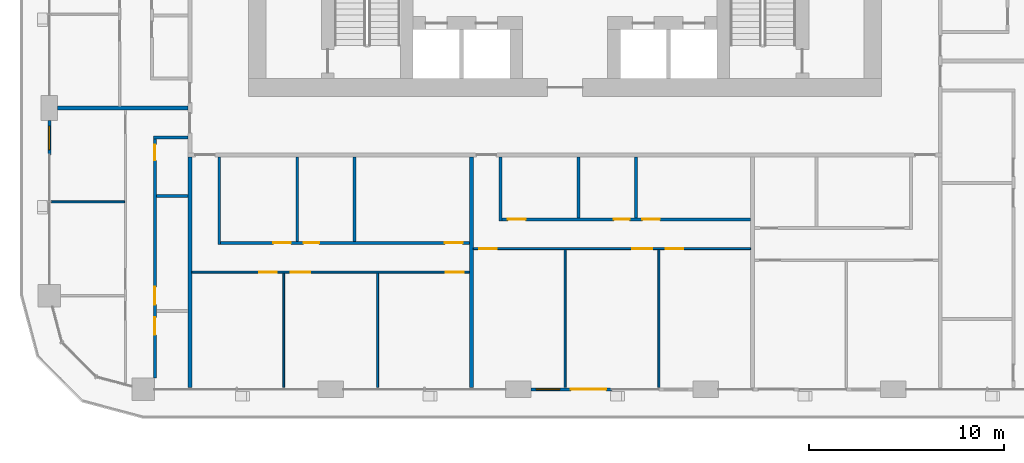
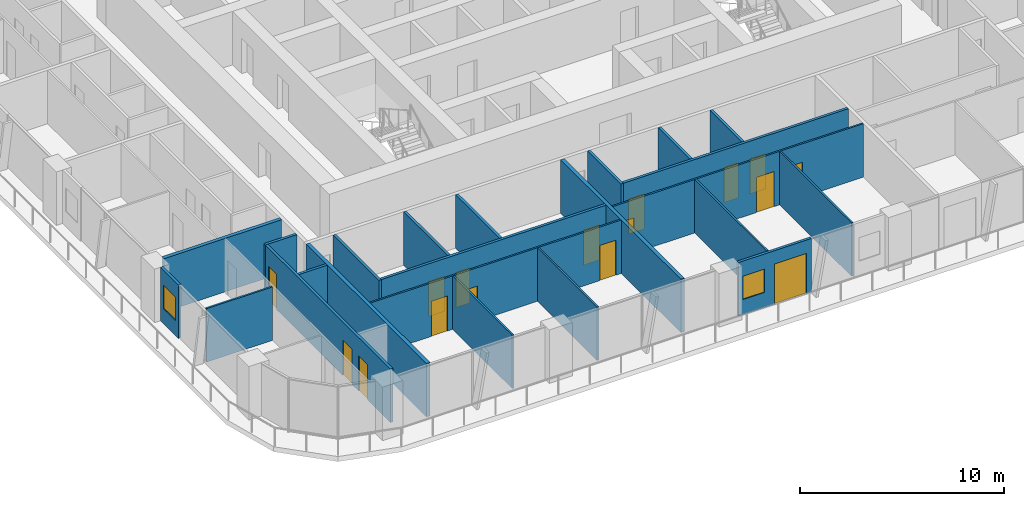
# One storey, part 9 of 22: 23 walls, 16 doors, 2 windows, 18 openings.
"""IFC4 building model written with IfcOpenShell, lengths in metres."""

from ifc_helpers import new_model, si_unit, direction, frame, frame_2d, origin, place, context, subcontext, project, spatial, rectangle, extrude, material, layer, layer_set, type_object, element, fill, save


model = new_model("IFC4")

# Units and contexts
model_context = context("Model", 3, precision=1e-05, world=origin(), true_north=direction((0.0, 1.0)))
body_context = subcontext(model_context, "Body", "Model", "MODEL_VIEW")
ifc_project = project(units=[si_unit("LENGTHUNIT", "METRE"), si_unit("AREAUNIT", "SQUARE_METRE"), si_unit("VOLUMEUNIT", "CUBIC_METRE"), si_unit("PLANEANGLEUNIT", "RADIAN"), si_unit("MASSUNIT", "GRAM", prefix="KILO")], contexts=[model_context])

# Site, building, storey
site_placement = place(None, origin())
site = spatial("IfcSite", under=ifc_project, at=site_placement, CompositionType="ELEMENT")
building_placement = place(site_placement, origin())
building = spatial("IfcBuilding", under=site, at=building_placement, Name="Madar Terraces", CompositionType="ELEMENT")
storey_placement = place(building_placement, frame((0.0, 0.0, 62.800048828125)))
storey = spatial("IfcBuildingStorey", under=building, at=storey_placement, Name="L15", CompositionType="ELEMENT", Elevation=62.800048828125)

# Wall, openings, door, window
ifc_material_1 = material(Name="Aluminium composite panel, black, over insulated backing", Category="aluminium")
ifc_layer_1 = layer(ifc_material_1, 0.14990234375)
ifc_layer_set_1 = layer_set([ifc_layer_1], Name="Facade bay panel 150")
wall_type_1 = type_object("IfcWallType", Name="Facade bay panel 150", PredefinedType="SOLIDWALL", material=ifc_layer_set_1)
wall_1_placement = place(storey_placement, frame((29.449951171875, 0.0, 0.0), z_axis=(0.0, 0.0, 1.0), x_axis=(1.0, 0.0, 0.0)))
wall_1 = element("IfcWall", 1, at=wall_1_placement, inside=storey, type_object=wall_type_1, Name="Facade bay panel", PredefinedType="SOLIDWALL", context=body_context, shape_type="SweptSolid", body=[
    extrude(rectangle(XDim=4.150146484375, YDim=0.14990234375, at=frame_2d((2.0751953125, 0.0))), origin(), (0.0, 0.0, 1.0), 3.199951171875),
])
opening_1_placement = place(wall_1_placement, frame((0.27490234375, 0.0, 0.89990234375)))
opening_1 = element("IfcOpeningElement", 2, at=opening_1_placement, cuts=wall_1, Name="Opening W1", PredefinedType="OPENING", context=body_context, shape_type="SweptSolid", body=[
    extrude(rectangle(XDim=1.199951171875, YDim=1.39990234375, at=frame_2d((0.60009765625, 0.699951171875))), frame((0.0, 0.0849609375, 0.0), z_axis=(0.0, -1.0, 0.0), x_axis=(1.0, 0.0, 0.0)), (0.0, 0.0, 1.0), 0.169921875),
])
opening_2_placement = place(wall_1_placement, frame((2.050048828125, 0.0, 0.0)))
opening_2 = element("IfcOpeningElement", 3, at=opening_2_placement, cuts=wall_1, Name="Opening ED1", PredefinedType="OPENING", context=body_context, shape_type="SweptSolid", body=[
    extrude(rectangle(XDim=1.800048828125, YDim=2.39990234375, at=frame_2d((0.89990234375, 1.199951171875))), frame((0.0, 0.0849609375, 0.0), z_axis=(0.0, -1.0, 0.0), x_axis=(1.0, 0.0, 0.0)), (0.0, 0.0, 1.0), 0.169921875),
])
ifc_material_2 = material(Name="Glass, clear, with black aluminium frame", Category="aluminium")
door_type_1 = type_object("IfcDoorType", Name="Balcony and terrace sliding door 1800 x 2400", OperationType="SLIDING_TO_LEFT", PredefinedType="DOOR", material=ifc_material_2)
door_1_placement = place(opening_2_placement, origin())
door_1 = element("IfcDoor", 4, at=door_1_placement, inside=storey, type_object=door_type_1, Name="Balcony door", OperationType="SLIDING_TO_LEFT", OverallHeight=2.39990234375, OverallWidth=1.800048828125, PredefinedType="DOOR", context=body_context, shape_type="SweptSolid", body=[
    extrude(rectangle(XDim=1.800048828125, YDim=2.39990234375, at=frame_2d((0.89990234375, 1.199951171875))), frame((0.0, 0.02490234375, 0.0), z_axis=(0.0, -1.0, 0.0), x_axis=(1.0, 0.0, 0.0)), (0.0, 0.0, 1.0), 0.050048828125),
])
fill(opening_2, door_1)
ifc_material_3 = material(Name="Glass, clear, with black aluminium frame", Category="aluminium")
window_type = type_object("IfcWindowType", Name="Vent window 1200 x 1400", PartitioningType="SINGLE_PANEL", PredefinedType="WINDOW", material=ifc_material_3)
window_1_placement = place(opening_1_placement, origin())
window_1 = element("IfcWindow", 5, at=window_1_placement, inside=storey, type_object=window_type, Name="Operable vent window", OverallHeight=1.39990234375, OverallWidth=1.199951171875, PartitioningType="SINGLE_PANEL", PredefinedType="WINDOW", context=body_context, shape_type="SweptSolid", body=[
    extrude(rectangle(XDim=1.199951171875, YDim=1.39990234375, at=frame_2d((0.60009765625, 0.699951171875))), frame((0.0, 0.030029296875, 0.0), z_axis=(0.0, -1.0, 0.0), x_axis=(1.0, 0.0, 0.0)), (0.0, 0.0, 1.0), 0.06005859375),
])
fill(opening_1, window_1)

# Wall, opening, window
wall_2_placement = place(storey_placement, frame((4.800048828125, 13.75, 0.0), z_axis=(0.0, 0.0, 1.0), x_axis=(0.0, -1.0, 0.0)))
wall_2 = element("IfcWall", 6, at=wall_2_placement, inside=storey, type_object=wall_type_1, Name="Facade bay panel", PredefinedType="SOLIDWALL", context=body_context, shape_type="SweptSolid", body=[
    extrude(rectangle(XDim=1.75, YDim=0.14990234375, at=frame_2d((0.875, 0.0))), origin(), (0.0, 0.0, 1.0), 3.199951171875),
])
opening_3_placement = place(wall_2_placement, frame((0.27490234375, 0.0, 0.89990234375)))
opening_3 = element("IfcOpeningElement", 7, at=opening_3_placement, cuts=wall_2, Name="Opening W1", PredefinedType="OPENING", context=body_context, shape_type="SweptSolid", body=[
    extrude(rectangle(XDim=1.199951171875, YDim=1.39990234375, at=frame_2d((0.60009765625, 0.699951171875))), frame((0.0, 0.0849609375, 0.0), z_axis=(0.0, -1.0, 0.0), x_axis=(1.0, 0.0, 0.0)), (0.0, 0.0, 1.0), 0.169921875),
])
window_2_placement = place(opening_3_placement, origin())
window_2 = element("IfcWindow", 8, at=window_2_placement, inside=storey, type_object=window_type, Name="Operable vent window", OverallHeight=1.39990234375, OverallWidth=1.199951171875, PartitioningType="SINGLE_PANEL", PredefinedType="WINDOW", context=body_context, shape_type="SweptSolid", body=[
    extrude(rectangle(XDim=1.199951171875, YDim=1.39990234375, at=frame_2d((0.60009765625, 0.699951171875))), frame((0.0, 0.030029296875, 0.0), z_axis=(0.0, -1.0, 0.0), x_axis=(1.0, 0.0, 0.0)), (0.0, 0.0, 1.0), 0.06005859375),
])
fill(opening_3, window_2)

# Walls
ifc_material_4 = material(Name="Gypsum board on steel studs", Category="steel")
ifc_layer_2 = layer(ifc_material_4, 0.10009765625)
ifc_layer_set_2 = layer_set([ifc_layer_2], Name="Flat partition 100")
wall_type_2 = type_object("IfcWallType", Name="Flat partition 100", PredefinedType="PARTITIONING", material=ifc_layer_set_2)
for number, where, z_axis, x_axis, name in (
    (9, (16.800048828125, 5.949951171875, 0.0), (0.0, 0.0, 1.0), (0.0, -1.0, 0.0), "Flat partition 100"),
    (10, (21.60009765625, 5.949951171875, 0.0), (0.0, 0.0, 1.0), (0.0, -1.0, 0.0), "Flat partition 100"),
):
    element("IfcWall", number, at=place(storey_placement, frame(where, z_axis=z_axis, x_axis=x_axis)), inside=storey, type_object=wall_type_2, Name=name, PredefinedType="PARTITIONING", context=body_context, shape_type="SweptSolid", body=[
        extrude(rectangle(XDim=5.849853515625, YDim=0.10009765625, at=frame_2d((2.9248046875, 0.0))), origin(), (0.0, 0.0, 1.0), 3.199951171875),
    ])

# Wall, openings, doors
wall_3_placement = place(storey_placement, frame((26.300048828125, 6.0, 0.0), z_axis=(0.0, 0.0, 1.0), x_axis=(-1.0, 0.0, 0.0)))
wall_3 = element("IfcWall", 11, at=wall_3_placement, inside=storey, type_object=wall_type_2, Name="Flat partition 100", PredefinedType="PARTITIONING", context=body_context, shape_type="SweptSolid", body=[
    extrude(rectangle(XDim=14.199951171875, YDim=0.10009765625, at=frame_2d((7.10009765625, 0.0))), origin(), (0.0, 0.0, 1.0), 3.199951171875),
])
opening_4_placement = place(wall_3_placement, frame((9.85009765625, 0.0, 0.0)))
opening_4 = element("IfcOpeningElement", 12, at=opening_4_placement, cuts=wall_3, Name="Opening D2", PredefinedType="OPENING", context=body_context, shape_type="SweptSolid", body=[
    extrude(rectangle(XDim=0.89990234375, YDim=2.10009765625, at=frame_2d((0.449951171875, 1.050048828125))), frame((0.0, 0.06005859375, 0.0), z_axis=(0.0, -1.0, 0.0), x_axis=(1.0, 0.0, 0.0)), (0.0, 0.0, 1.0), 0.1201171875),
])
opening_5_placement = place(wall_3_placement, frame((8.14990234375, 0.0, 0.0)))
opening_5 = element("IfcOpeningElement", 13, at=opening_5_placement, cuts=wall_3, Name="Opening D3", PredefinedType="OPENING", context=body_context, shape_type="SweptSolid", body=[
    extrude(rectangle(XDim=1.0, YDim=2.10009765625, at=frame_2d((0.5, 1.050048828125))), frame((0.0, 0.06005859375, 0.0), z_axis=(0.0, -1.0, 0.0), x_axis=(1.0, 0.0, 0.0)), (0.0, 0.0, 1.0), 0.1201171875),
])
opening_6_placement = place(wall_3_placement, frame((0.300048828125, 0.0, 0.0)))
opening_6 = element("IfcOpeningElement", 14, at=opening_6_placement, cuts=wall_3, Name="Opening D2", PredefinedType="OPENING", context=body_context, shape_type="SweptSolid", body=[
    extrude(rectangle(XDim=0.89990234375, YDim=2.10009765625, at=frame_2d((0.449951171875, 1.050048828125))), frame((0.0, 0.06005859375, 0.0), z_axis=(0.0, -1.0, 0.0), x_axis=(1.0, 0.0, 0.0)), (0.0, 0.0, 1.0), 0.1201171875),
])
ifc_material_5 = material(Name="Timber door leaf", Category="wood")
door_type_2 = type_object("IfcDoorType", Name="Flat living room door 1000", OperationType="NOTDEFINED", PredefinedType="DOOR", material=ifc_material_5)
door_2_placement = place(opening_5_placement, origin())
door_2 = element("IfcDoor", 15, at=door_2_placement, inside=storey, type_object=door_type_2, Name="Flat living room door 1000", OperationType="SINGLE_SWING_RIGHT", OverallHeight=2.10009765625, OverallWidth=1.0, PredefinedType="DOOR", context=body_context, shape_type="SweptSolid", body=[
    extrude(rectangle(XDim=1.0, YDim=2.10009765625, at=frame_2d((0.5, 1.050048828125))), frame((0.0, 0.02490234375, 0.0), z_axis=(0.0, -1.0, 0.0), x_axis=(1.0, 0.0, 0.0)), (0.0, 0.0, 1.0), 0.050048828125),
])
fill(opening_5, door_2)
ifc_material_6 = material(Name="Timber door leaf", Category="wood")
door_type_3 = type_object("IfcDoorType", Name="Flat room door 900", OperationType="NOTDEFINED", PredefinedType="DOOR", material=ifc_material_6)
door_3_placement = place(opening_4_placement, origin())
door_3 = element("IfcDoor", 16, at=door_3_placement, inside=storey, type_object=door_type_3, Name="Flat room door 900", OperationType="SINGLE_SWING_LEFT", OverallHeight=2.10009765625, OverallWidth=0.89990234375, PredefinedType="DOOR", context=body_context, shape_type="SweptSolid", body=[
    extrude(rectangle(XDim=0.89990234375, YDim=2.10009765625, at=frame_2d((0.449951171875, 1.050048828125))), frame((0.0, 0.02490234375, 0.0), z_axis=(0.0, -1.0, 0.0), x_axis=(1.0, 0.0, 0.0)), (0.0, 0.0, 1.0), 0.050048828125),
])
fill(opening_4, door_3)
door_4_placement = place(opening_6_placement, origin())
door_4 = element("IfcDoor", 17, at=door_4_placement, inside=storey, type_object=door_type_3, Name="Flat room door 900", OperationType="SINGLE_SWING_LEFT", OverallHeight=2.10009765625, OverallWidth=0.89990234375, PredefinedType="DOOR", context=body_context, shape_type="SweptSolid", body=[
    extrude(rectangle(XDim=0.89990234375, YDim=2.10009765625, at=frame_2d((0.449951171875, 1.050048828125))), frame((0.0, 0.02490234375, 0.0), z_axis=(0.0, -1.0, 0.0), x_axis=(1.0, 0.0, 0.0)), (0.0, 0.0, 1.0), 0.050048828125),
])
fill(opening_6, door_4)

# Walls
for number, where, z_axis, x_axis, name in (
    (18, (31.199951171875, 7.14990234375, 0.0), (0.0, 0.0, 1.0), (0.0, -1.0, 0.0), "Flat partition 100"),
    (19, (36.0, 7.14990234375, 0.0), (0.0, 0.0, 1.0), (0.0, -1.0, 0.0), "Flat partition 100"),
):
    element("IfcWall", number, at=place(storey_placement, frame(where, z_axis=z_axis, x_axis=x_axis)), inside=storey, type_object=wall_type_2, Name=name, PredefinedType="PARTITIONING", context=body_context, shape_type="SweptSolid", body=[
        extrude(rectangle(XDim=7.0498046875, YDim=0.10009765625, at=frame_2d((3.52490234375, 0.0))), origin(), (0.0, 0.0, 1.0), 3.199951171875),
    ])

# Wall, openings, doors
wall_4_placement = place(storey_placement, frame((40.699951171875, 7.199951171875, 0.0), z_axis=(0.0, 0.0, 1.0), x_axis=(-1.0, 0.0, 0.0)))
wall_4 = element("IfcWall", 20, at=wall_4_placement, inside=storey, type_object=wall_type_2, Name="Flat partition 100", PredefinedType="PARTITIONING", context=body_context, shape_type="SweptSolid", body=[
    extrude(rectangle(XDim=14.199951171875, YDim=0.10009765625, at=frame_2d((7.10009765625, 0.0))), origin(), (0.0, 0.0, 1.0), 3.199951171875),
])
opening_7_placement = place(wall_4_placement, frame((13.0, 0.0, 0.0)))
opening_7 = element("IfcOpeningElement", 21, at=opening_7_placement, cuts=wall_4, Name="Opening D2", PredefinedType="OPENING", context=body_context, shape_type="SweptSolid", body=[
    extrude(rectangle(XDim=0.89990234375, YDim=2.10009765625, at=frame_2d((0.449951171875, 1.050048828125))), frame((0.0, 0.06005859375, 0.0), z_axis=(0.0, -1.0, 0.0), x_axis=(1.0, 0.0, 0.0)), (0.0, 0.0, 1.0), 0.1201171875),
])
opening_8_placement = place(wall_4_placement, frame((5.050048828125, 0.0, 0.0)))
opening_8 = element("IfcOpeningElement", 22, at=opening_8_placement, cuts=wall_4, Name="Opening D3", PredefinedType="OPENING", context=body_context, shape_type="SweptSolid", body=[
    extrude(rectangle(XDim=1.0, YDim=2.10009765625, at=frame_2d((0.5, 1.050048828125))), frame((0.0, 0.06005859375, 0.0), z_axis=(0.0, -1.0, 0.0), x_axis=(1.0, 0.0, 0.0)), (0.0, 0.0, 1.0), 0.1201171875),
])
opening_9_placement = place(wall_4_placement, frame((3.449951171875, 0.0, 0.0)))
opening_9 = element("IfcOpeningElement", 23, at=opening_9_placement, cuts=wall_4, Name="Opening D2", PredefinedType="OPENING", context=body_context, shape_type="SweptSolid", body=[
    extrude(rectangle(XDim=0.89990234375, YDim=2.10009765625, at=frame_2d((0.449951171875, 1.050048828125))), frame((0.0, 0.06005859375, 0.0), z_axis=(0.0, -1.0, 0.0), x_axis=(1.0, 0.0, 0.0)), (0.0, 0.0, 1.0), 0.1201171875),
])
door_5_placement = place(opening_8_placement, origin())
door_5 = element("IfcDoor", 24, at=door_5_placement, inside=storey, type_object=door_type_2, Name="Flat living room door 1000", OperationType="SINGLE_SWING_LEFT", OverallHeight=2.10009765625, OverallWidth=1.0, PredefinedType="DOOR", context=body_context, shape_type="SweptSolid", body=[
    extrude(rectangle(XDim=1.0, YDim=2.10009765625, at=frame_2d((0.5, 1.050048828125))), frame((0.0, 0.02490234375, 0.0), z_axis=(0.0, -1.0, 0.0), x_axis=(1.0, 0.0, 0.0)), (0.0, 0.0, 1.0), 0.050048828125),
])
fill(opening_8, door_5)
door_6_placement = place(opening_7_placement, origin())
door_6 = element("IfcDoor", 25, at=door_6_placement, inside=storey, type_object=door_type_3, Name="Flat room door 900", OperationType="SINGLE_SWING_RIGHT", OverallHeight=2.10009765625, OverallWidth=0.89990234375, PredefinedType="DOOR", context=body_context, shape_type="SweptSolid", body=[
    extrude(rectangle(XDim=0.89990234375, YDim=2.10009765625, at=frame_2d((0.449951171875, 1.050048828125))), frame((0.0, 0.02490234375, 0.0), z_axis=(0.0, -1.0, 0.0), x_axis=(1.0, 0.0, 0.0)), (0.0, 0.0, 1.0), 0.050048828125),
])
fill(opening_7, door_6)
door_7_placement = place(opening_9_placement, origin())
door_7 = element("IfcDoor", 26, at=door_7_placement, inside=storey, type_object=door_type_3, Name="Flat room door 900", OperationType="SINGLE_SWING_RIGHT", OverallHeight=2.10009765625, OverallWidth=0.89990234375, PredefinedType="DOOR", context=body_context, shape_type="SweptSolid", body=[
    extrude(rectangle(XDim=0.89990234375, YDim=2.10009765625, at=frame_2d((0.449951171875, 1.050048828125))), frame((0.0, 0.02490234375, 0.0), z_axis=(0.0, -1.0, 0.0), x_axis=(1.0, 0.0, 0.0)), (0.0, 0.0, 1.0), 0.050048828125),
])
fill(opening_9, door_7)

# Walls
wall_5_placement = place(storey_placement, frame((8.64990234375, 9.60009765625, 0.0), z_axis=(0.0, 0.0, 1.0), x_axis=(-1.0, 0.0, 0.0)))
element("IfcWall", 27, at=wall_5_placement, inside=storey, type_object=wall_type_2, Name="Flat partition 100", PredefinedType="PARTITIONING", context=body_context, shape_type="SweptSolid", body=[
    extrude(rectangle(XDim=3.75, YDim=0.10009765625, at=frame_2d((1.875, 0.0))), origin(), (0.0, 0.0, 1.0), 3.199951171875),
])
ifc_material_7 = material(Name="Lightweight blockwork", Category="masonry")
ifc_layer_3 = layer(ifc_material_7, 0.199951171875)
ifc_layer_set_3 = layer_set([ifc_layer_3], Name="Flat party and entrance wall 200")
wall_type_3 = type_object("IfcWallType", Name="Flat party and entrance wall 200", PredefinedType="PARTITIONING", material=ifc_layer_set_3)
for number, where, z_axis, x_axis, name in (
    (28, (26.39990234375, 11.89990234375, 0.0), (0.0, 0.0, 1.0), (0.0, -1.0, 0.0), "Flat party and entrance wall 200"),
    (29, (12.0, 0.10009765625, 0.0), (0.0, 0.0, 1.0), (0.0, 1.0, 0.0), "Flat party and entrance wall 200"),
):
    element("IfcWall", number, at=place(storey_placement, frame(where, z_axis=z_axis, x_axis=x_axis)), inside=storey, type_object=wall_type_3, Name=name, PredefinedType="PARTITIONING", context=body_context, shape_type="SweptSolid", body=[
        extrude(rectangle(XDim=11.7998046875, YDim=0.199951171875, at=frame_2d((5.89990234375, 0.0))), origin(), (0.0, 0.0, 1.0), 3.199951171875),
    ])
wall_6_placement = place(storey_placement, frame((5.22509765625, 14.39990234375, 0.0), z_axis=(0.0, 0.0, 1.0), x_axis=(1.0, 0.0, 0.0)))
element("IfcWall", 30, at=wall_6_placement, inside=storey, type_object=wall_type_3, Name="Flat party and entrance wall 200", PredefinedType="PARTITIONING", context=body_context, shape_type="SweptSolid", body=[
    extrude(rectangle(XDim=6.6748046875, YDim=0.199951171875, at=frame_2d((3.33740234375, 0.0))), origin(), (0.0, 0.0, 1.0), 3.199951171875),
])
ifc_material_8 = material(Name="Lightweight blockwork", Category="masonry")
ifc_layer_4 = layer(ifc_material_8, 0.14990234375)
ifc_layer_set_4 = layer_set([ifc_layer_4], Name="Flat wet-room partition 150")
wall_type_4 = type_object("IfcWallType", Name="Flat wet-room partition 150", PredefinedType="PARTITIONING", material=ifc_layer_set_4)
for number, where, z_axis, x_axis, name in (
    (31, (17.490478515625, 11.89990234375, 0.0), (0.0, 0.0, 1.0), (0.0, -1.0, 0.0), "Flat wet-room partition 150"),
    (32, (20.427001953125, 11.89990234375, 0.0), (0.0, 0.0, 1.0), (0.0, -1.0, 0.0), "Flat wet-room partition 150"),
):
    element("IfcWall", number, at=place(storey_placement, frame(where, z_axis=z_axis, x_axis=x_axis)), inside=storey, type_object=wall_type_4, Name=name, PredefinedType="PARTITIONING", context=body_context, shape_type="SweptSolid", body=[
        extrude(rectangle(XDim=4.324951171875, YDim=0.14990234375, at=frame_2d((2.16259765625, 0.0))), origin(), (0.0, 0.0, 1.0), 3.199951171875),
    ])
wall_7_placement = place(storey_placement, frame((13.5, 11.89990234375, 0.0), z_axis=(0.0, 0.0, 1.0), x_axis=(0.0, -1.0, 0.0)))
element("IfcWall", 33, at=wall_7_placement, inside=storey, type_object=wall_type_4, Name="Flat wet-room partition 150", PredefinedType="PARTITIONING", context=body_context, shape_type="SweptSolid", body=[
    extrude(rectangle(XDim=4.474853515625, YDim=0.14990234375, at=frame_2d((2.2373046875, 0.0))), origin(), (0.0, 0.0, 1.0), 3.199951171875),
])

# Wall, openings, doors
wall_8_placement = place(storey_placement, frame((13.574951171875, 7.5, 0.0), z_axis=(0.0, 0.0, 1.0), x_axis=(1.0, 0.0, 0.0)))
wall_8 = element("IfcWall", 34, at=wall_8_placement, inside=storey, type_object=wall_type_4, Name="Flat wet-room partition 150", PredefinedType="PARTITIONING", context=body_context, shape_type="SweptSolid", body=[
    extrude(rectangle(XDim=12.72509765625, YDim=0.14990234375, at=frame_2d((6.362548828125, 0.0))), origin(), (0.0, 0.0, 1.0), 3.199951171875),
])
opening_10_placement = place(wall_8_placement, frame((2.6904296875, 0.0, 0.0)))
opening_10 = element("IfcOpeningElement", 35, at=opening_10_placement, cuts=wall_8, Name="Opening D5", PredefinedType="OPENING", context=body_context, shape_type="SweptSolid", body=[
    extrude(rectangle(XDim=0.89990234375, YDim=2.10009765625, at=frame_2d((0.449951171875, 1.050048828125))), frame((0.0, 0.0849609375, 0.0), z_axis=(0.0, -1.0, 0.0), x_axis=(1.0, 0.0, 0.0)), (0.0, 0.0, 1.0), 0.169921875),
])
opening_11_placement = place(wall_8_placement, frame((4.240478515625, 0.0, 0.0)))
opening_11 = element("IfcOpeningElement", 36, at=opening_11_placement, cuts=wall_8, Name="Opening D4", PredefinedType="OPENING", context=body_context, shape_type="SweptSolid", body=[
    extrude(rectangle(XDim=0.800048828125, YDim=2.10009765625, at=frame_2d((0.39990234375, 1.050048828125))), frame((0.0, 0.0849609375, 0.0), z_axis=(0.0, -1.0, 0.0), x_axis=(1.0, 0.0, 0.0)), (0.0, 0.0, 1.0), 0.169921875),
])
opening_12_placement = place(wall_8_placement, frame((11.47509765625, 0.0, 0.0)))
opening_12 = element("IfcOpeningElement", 37, at=opening_12_placement, cuts=wall_8, Name="Opening D2", PredefinedType="OPENING", context=body_context, shape_type="SweptSolid", body=[
    extrude(rectangle(XDim=0.89990234375, YDim=2.10009765625, at=frame_2d((0.449951171875, 1.050048828125))), frame((0.0, 0.0849609375, 0.0), z_axis=(0.0, -1.0, 0.0), x_axis=(1.0, 0.0, 0.0)), (0.0, 0.0, 1.0), 0.169921875),
])
ifc_material_9 = material(Name="Timber door leaf", Category="wood")
door_type_4 = type_object("IfcDoorType", Name="Flat accessible bathroom door 900", OperationType="NOTDEFINED", PredefinedType="DOOR", material=ifc_material_9)
door_8_placement = place(opening_10_placement, origin())
door_8 = element("IfcDoor", 38, at=door_8_placement, inside=storey, type_object=door_type_4, Name="Flat accessible bathroom door 900", OperationType="SINGLE_SWING_RIGHT", OverallHeight=2.10009765625, OverallWidth=0.89990234375, PredefinedType="DOOR", context=body_context, shape_type="SweptSolid", body=[
    extrude(rectangle(XDim=0.89990234375, YDim=2.10009765625, at=frame_2d((0.449951171875, 1.050048828125))), frame((0.0, 0.02490234375, 0.0), z_axis=(0.0, -1.0, 0.0), x_axis=(1.0, 0.0, 0.0)), (0.0, 0.0, 1.0), 0.050048828125),
])
fill(opening_10, door_8)
ifc_material_10 = material(Name="Timber door leaf", Category="wood")
door_type_5 = type_object("IfcDoorType", Name="Flat bathroom door 800", OperationType="NOTDEFINED", PredefinedType="DOOR", material=ifc_material_10)
door_9_placement = place(opening_11_placement, origin())
door_9 = element("IfcDoor", 39, at=door_9_placement, inside=storey, type_object=door_type_5, Name="Flat bathroom door 800", OperationType="SINGLE_SWING_LEFT", OverallHeight=2.10009765625, OverallWidth=0.800048828125, PredefinedType="DOOR", context=body_context, shape_type="SweptSolid", body=[
    extrude(rectangle(XDim=0.800048828125, YDim=2.10009765625, at=frame_2d((0.39990234375, 1.050048828125))), frame((0.0, 0.02490234375, 0.0), z_axis=(0.0, -1.0, 0.0), x_axis=(1.0, 0.0, 0.0)), (0.0, 0.0, 1.0), 0.050048828125),
])
fill(opening_11, door_9)
door_10_placement = place(opening_12_placement, origin())
door_10 = element("IfcDoor", 40, at=door_10_placement, inside=storey, type_object=door_type_3, Name="Flat room door 900", OperationType="SINGLE_SWING_RIGHT", OverallHeight=2.10009765625, OverallWidth=0.89990234375, PredefinedType="DOOR", context=body_context, shape_type="SweptSolid", body=[
    extrude(rectangle(XDim=0.89990234375, YDim=2.10009765625, at=frame_2d((0.449951171875, 1.050048828125))), frame((0.0, 0.02490234375, 0.0), z_axis=(0.0, -1.0, 0.0), x_axis=(1.0, 0.0, 0.0)), (0.0, 0.0, 1.0), 0.050048828125),
])
fill(opening_12, door_10)

# Walls
for number, where, z_axis, x_axis, name in (
    (41, (31.890380859375, 11.89990234375, 0.0), (0.0, 0.0, 1.0), (0.0, -1.0, 0.0), "Flat wet-room partition 150"),
    (42, (34.826904296875, 11.89990234375, 0.0), (0.0, 0.0, 1.0), (0.0, -1.0, 0.0), "Flat wet-room partition 150"),
):
    element("IfcWall", number, at=place(storey_placement, frame(where, z_axis=z_axis, x_axis=x_axis)), inside=storey, type_object=wall_type_4, Name=name, PredefinedType="PARTITIONING", context=body_context, shape_type="SweptSolid", body=[
        extrude(rectangle(XDim=3.125, YDim=0.14990234375, at=frame_2d((1.5625, 0.0))), origin(), (0.0, 0.0, 1.0), 3.199951171875),
    ])
wall_9_placement = place(storey_placement, frame((27.89990234375, 11.89990234375, 0.0), z_axis=(0.0, 0.0, 1.0), x_axis=(0.0, -1.0, 0.0)))
element("IfcWall", 43, at=wall_9_placement, inside=storey, type_object=wall_type_4, Name="Flat wet-room partition 150", PredefinedType="PARTITIONING", context=body_context, shape_type="SweptSolid", body=[
    extrude(rectangle(XDim=3.27490234375, YDim=0.14990234375, at=frame_2d((1.637451171875, 0.0))), origin(), (0.0, 0.0, 1.0), 3.199951171875),
])

# Wall, openings, doors
wall_10_placement = place(storey_placement, frame((27.97509765625, 8.699951171875, 0.0), z_axis=(0.0, 0.0, 1.0), x_axis=(1.0, 0.0, 0.0)))
wall_10 = element("IfcWall", 44, at=wall_10_placement, inside=storey, type_object=wall_type_4, Name="Flat wet-room partition 150", PredefinedType="PARTITIONING", context=body_context, shape_type="SweptSolid", body=[
    extrude(rectangle(XDim=12.724853515625, YDim=0.14990234375, at=frame_2d((6.3623046875, 0.0))), origin(), (0.0, 0.0, 1.0), 3.199951171875),
])
opening_13_placement = place(wall_10_placement, frame((0.300048828125, 0.0, 0.0)))
opening_13 = element("IfcOpeningElement", 45, at=opening_13_placement, cuts=wall_10, Name="Opening D5", PredefinedType="OPENING", context=body_context, shape_type="SweptSolid", body=[
    extrude(rectangle(XDim=0.89990234375, YDim=2.10009765625, at=frame_2d((0.449951171875, 1.050048828125))), frame((0.0, 0.0849609375, 0.0), z_axis=(0.0, -1.0, 0.0), x_axis=(1.0, 0.0, 0.0)), (0.0, 0.0, 1.0), 0.169921875),
])
opening_14_placement = place(wall_10_placement, frame((5.726806640625, 0.0, 0.0)))
opening_14 = element("IfcOpeningElement", 46, at=opening_14_placement, cuts=wall_10, Name="Opening D4", PredefinedType="OPENING", context=body_context, shape_type="SweptSolid", body=[
    extrude(rectangle(XDim=0.800048828125, YDim=2.10009765625, at=frame_2d((0.39990234375, 1.050048828125))), frame((0.0, 0.0849609375, 0.0), z_axis=(0.0, -1.0, 0.0), x_axis=(1.0, 0.0, 0.0)), (0.0, 0.0, 1.0), 0.169921875),
])
opening_15_placement = place(wall_10_placement, frame((7.177001953125, 0.0, 0.0)))
opening_15 = element("IfcOpeningElement", 47, at=opening_15_placement, cuts=wall_10, Name="Opening D2", PredefinedType="OPENING", context=body_context, shape_type="SweptSolid", body=[
    extrude(rectangle(XDim=0.89990234375, YDim=2.10009765625, at=frame_2d((0.449951171875, 1.050048828125))), frame((0.0, 0.0849609375, 0.0), z_axis=(0.0, -1.0, 0.0), x_axis=(1.0, 0.0, 0.0)), (0.0, 0.0, 1.0), 0.169921875),
])
door_11_placement = place(opening_13_placement, origin())
door_11 = element("IfcDoor", 48, at=door_11_placement, inside=storey, type_object=door_type_4, Name="Flat accessible bathroom door 900", OperationType="SINGLE_SWING_LEFT", OverallHeight=2.10009765625, OverallWidth=0.89990234375, PredefinedType="DOOR", context=body_context, shape_type="SweptSolid", body=[
    extrude(rectangle(XDim=0.89990234375, YDim=2.10009765625, at=frame_2d((0.449951171875, 1.050048828125))), frame((0.0, 0.02490234375, 0.0), z_axis=(0.0, -1.0, 0.0), x_axis=(1.0, 0.0, 0.0)), (0.0, 0.0, 1.0), 0.050048828125),
])
fill(opening_13, door_11)
door_12_placement = place(opening_14_placement, origin())
door_12 = element("IfcDoor", 49, at=door_12_placement, inside=storey, type_object=door_type_5, Name="Flat bathroom door 800", OperationType="SINGLE_SWING_RIGHT", OverallHeight=2.10009765625, OverallWidth=0.800048828125, PredefinedType="DOOR", context=body_context, shape_type="SweptSolid", body=[
    extrude(rectangle(XDim=0.800048828125, YDim=2.10009765625, at=frame_2d((0.39990234375, 1.050048828125))), frame((0.0, 0.02490234375, 0.0), z_axis=(0.0, -1.0, 0.0), x_axis=(1.0, 0.0, 0.0)), (0.0, 0.0, 1.0), 0.050048828125),
])
fill(opening_14, door_12)
door_13_placement = place(opening_15_placement, origin())
door_13 = element("IfcDoor", 50, at=door_13_placement, inside=storey, type_object=door_type_3, Name="Flat room door 900", OperationType="SINGLE_SWING_LEFT", OverallHeight=2.10009765625, OverallWidth=0.89990234375, PredefinedType="DOOR", context=body_context, shape_type="SweptSolid", body=[
    extrude(rectangle(XDim=0.89990234375, YDim=2.10009765625, at=frame_2d((0.449951171875, 1.050048828125))), frame((0.0, 0.02490234375, 0.0), z_axis=(0.0, -1.0, 0.0), x_axis=(1.0, 0.0, 0.0)), (0.0, 0.0, 1.0), 0.050048828125),
])
fill(opening_15, door_13)

# Walls
wall_11_placement = place(storey_placement, frame((11.89990234375, 9.888427734375, 0.0), z_axis=(0.0, 0.0, 1.0), x_axis=(-1.0, 0.0, 0.0)))
element("IfcWall", 51, at=wall_11_placement, inside=storey, type_object=wall_type_4, Name="Flat wet-room partition 150", PredefinedType="PARTITIONING", context=body_context, shape_type="SweptSolid", body=[
    extrude(rectangle(XDim=1.625, YDim=0.14990234375, at=frame_2d((0.8125, 0.0))), origin(), (0.0, 0.0, 1.0), 3.199951171875),
])
wall_12_placement = place(storey_placement, frame((11.89990234375, 12.89990234375, 0.0), z_axis=(0.0, 0.0, 1.0), x_axis=(-1.0, 0.0, 0.0)))
element("IfcWall", 52, at=wall_12_placement, inside=storey, type_object=wall_type_4, Name="Flat wet-room partition 150", PredefinedType="PARTITIONING", context=body_context, shape_type="SweptSolid", body=[
    extrude(rectangle(XDim=1.77490234375, YDim=0.14990234375, at=frame_2d((0.887451171875, 0.0))), origin(), (0.0, 0.0, 1.0), 3.199951171875),
])

# Wall, openings, doors
wall_13_placement = place(storey_placement, frame((10.199951171875, 12.824951171875, 0.0), z_axis=(0.0, 0.0, 1.0), x_axis=(0.0, -1.0, 0.0)))
wall_13 = element("IfcWall", 53, at=wall_13_placement, inside=storey, type_object=wall_type_4, Name="Flat wet-room partition 150", PredefinedType="PARTITIONING", context=body_context, shape_type="SweptSolid", body=[
    extrude(rectangle(XDim=12.25, YDim=0.14990234375, at=frame_2d((6.125, 0.0))), origin(), (0.0, 0.0, 1.0), 3.199951171875),
])
opening_16_placement = place(wall_13_placement, frame((0.300048828125, 0.0, 0.0)))
opening_16 = element("IfcOpeningElement", 54, at=opening_16_placement, cuts=wall_13, Name="Opening D4", PredefinedType="OPENING", context=body_context, shape_type="SweptSolid", body=[
    extrude(rectangle(XDim=0.800048828125, YDim=2.10009765625, at=frame_2d((0.39990234375, 1.050048828125))), frame((0.0, 0.0849609375, 0.0), z_axis=(0.0, -1.0, 0.0), x_axis=(1.0, 0.0, 0.0)), (0.0, 0.0, 1.0), 0.169921875),
])
opening_17_placement = place(wall_13_placement, frame((7.584716796875, 0.0, 0.0)))
opening_17 = element("IfcOpeningElement", 55, at=opening_17_placement, cuts=wall_13, Name="Opening D2", PredefinedType="OPENING", context=body_context, shape_type="SweptSolid", body=[
    extrude(rectangle(XDim=0.89990234375, YDim=2.10009765625, at=frame_2d((0.449951171875, 1.050048828125))), frame((0.0, 0.0849609375, 0.0), z_axis=(0.0, -1.0, 0.0), x_axis=(1.0, 0.0, 0.0)), (0.0, 0.0, 1.0), 0.169921875),
])
opening_18_placement = place(wall_13_placement, frame((9.134521484375, 0.0, 0.0)))
opening_18 = element("IfcOpeningElement", 56, at=opening_18_placement, cuts=wall_13, Name="Opening D5", PredefinedType="OPENING", context=body_context, shape_type="SweptSolid", body=[
    extrude(rectangle(XDim=0.89990234375, YDim=2.10009765625, at=frame_2d((0.449951171875, 1.050048828125))), frame((0.0, 0.0849609375, 0.0), z_axis=(0.0, -1.0, 0.0), x_axis=(1.0, 0.0, 0.0)), (0.0, 0.0, 1.0), 0.169921875),
])
door_14_placement = place(opening_18_placement, origin())
door_14 = element("IfcDoor", 57, at=door_14_placement, inside=storey, type_object=door_type_4, Name="Flat accessible bathroom door 900", OperationType="SINGLE_SWING_LEFT", OverallHeight=2.10009765625, OverallWidth=0.89990234375, PredefinedType="DOOR", context=body_context, shape_type="SweptSolid", body=[
    extrude(rectangle(XDim=0.89990234375, YDim=2.10009765625, at=frame_2d((0.449951171875, 1.050048828125))), frame((0.0, 0.02490234375, 0.0), z_axis=(0.0, -1.0, 0.0), x_axis=(1.0, 0.0, 0.0)), (0.0, 0.0, 1.0), 0.050048828125),
])
fill(opening_18, door_14)
door_15_placement = place(opening_16_placement, origin())
door_15 = element("IfcDoor", 58, at=door_15_placement, inside=storey, type_object=door_type_5, Name="Flat bathroom door 800", OperationType="SINGLE_SWING_LEFT", OverallHeight=2.10009765625, OverallWidth=0.800048828125, PredefinedType="DOOR", context=body_context, shape_type="SweptSolid", body=[
    extrude(rectangle(XDim=0.800048828125, YDim=2.10009765625, at=frame_2d((0.39990234375, 1.050048828125))), frame((0.0, 0.02490234375, 0.0), z_axis=(0.0, -1.0, 0.0), x_axis=(1.0, 0.0, 0.0)), (0.0, 0.0, 1.0), 0.050048828125),
])
fill(opening_16, door_15)
door_16_placement = place(opening_17_placement, origin())
door_16 = element("IfcDoor", 59, at=door_16_placement, inside=storey, type_object=door_type_3, Name="Flat room door 900", OperationType="SINGLE_SWING_RIGHT", OverallHeight=2.10009765625, OverallWidth=0.89990234375, PredefinedType="DOOR", context=body_context, shape_type="SweptSolid", body=[
    extrude(rectangle(XDim=0.89990234375, YDim=2.10009765625, at=frame_2d((0.449951171875, 1.050048828125))), frame((0.0, 0.02490234375, 0.0), z_axis=(0.0, -1.0, 0.0), x_axis=(1.0, 0.0, 0.0)), (0.0, 0.0, 1.0), 0.050048828125),
])
fill(opening_17, door_16)

save(model, "model.ifc")
